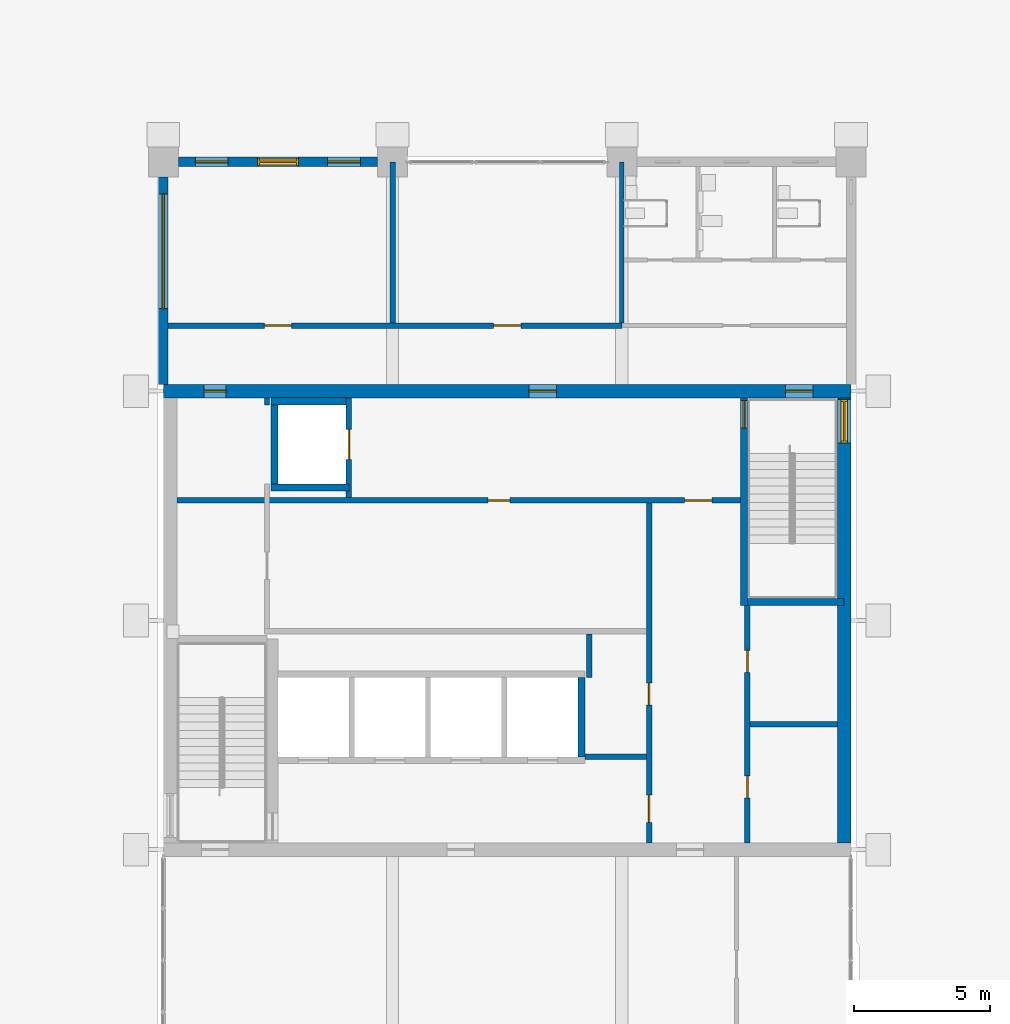
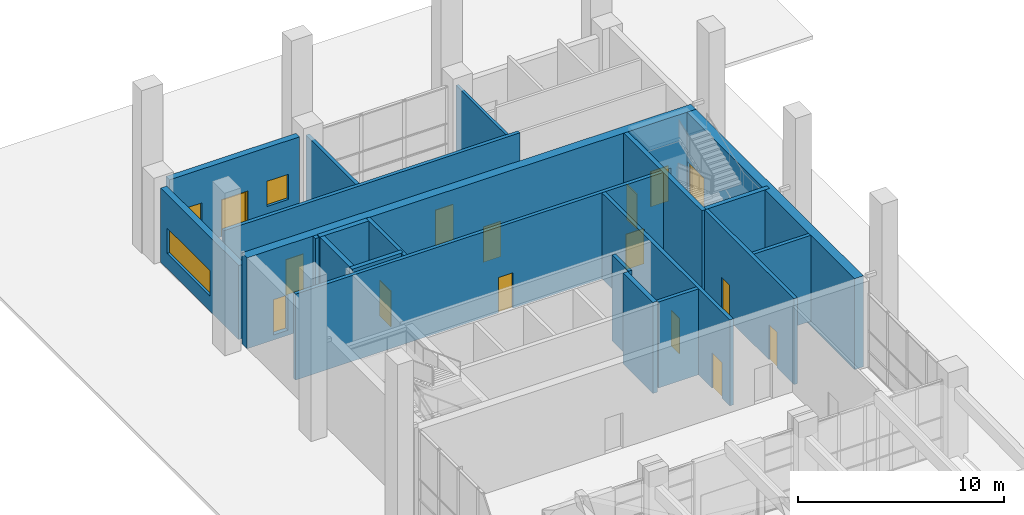
# One storey, part 39 of 74: 21 walls, 15 doors, 3 windows, 18 openings.
"""IFC4 building model written with IfcOpenShell, lengths in metres."""

from ifc_helpers import new_model, si_unit, direction, frame, frame_2d, origin, place, context, subcontext, project, spatial, rectangle, extrude, material, layer, layer_set, type_object, element, fill, save


model = new_model("IFC4")

# Units and contexts
model_context = context("Model", 3, precision=1e-05, world=origin(), true_north=direction((0.0, 1.0)))
body_context = subcontext(model_context, "Body", "Model", "MODEL_VIEW")
ifc_project = project(units=[si_unit("LENGTHUNIT", "METRE"), si_unit("AREAUNIT", "SQUARE_METRE"), si_unit("VOLUMEUNIT", "CUBIC_METRE"), si_unit("PLANEANGLEUNIT", "RADIAN"), si_unit("MASSUNIT", "GRAM", prefix="KILO")], contexts=[model_context])

# Site, building, storey
site_placement = place(None, origin())
site = spatial("IfcSite", under=ifc_project, at=site_placement, CompositionType="ELEMENT")
building_placement = place(site_placement, origin())
building = spatial("IfcBuilding", under=site, at=building_placement, Name="Rulbaag Community and Learning Centre", CompositionType="ELEMENT")
storey_placement = place(building_placement, origin())
storey = spatial("IfcBuildingStorey", under=building, at=storey_placement, Name="L00", CompositionType="ELEMENT", Elevation=0.0)

# Wall, openings, door, windows
ifc_material_1 = material(Name="Concrete M40", Category="concrete")
ifc_layer_1 = layer(ifc_material_1, 0.35009765625)
ifc_layer_set_1 = layer_set([ifc_layer_1], Name="EW-CONC350-120")
wall_type_1 = type_object("IfcWallType", Name="EW-CONC350-120", PredefinedType="STANDARD", material=ifc_layer_set_1)
wall_1_placement = place(storey_placement, frame((143.35009765625, 117.60009765625, 0.0), z_axis=(0.0, 0.0, 1.0), x_axis=(1.0, 0.0, 0.0)))
wall_1 = element("IfcWall", 1, at=wall_1_placement, inside=storey, type_object=wall_type_1, Name="Board-marked concrete cladding wall BN", PredefinedType="STANDARD", context=body_context, shape_type="SweptSolid", body=[
    extrude(rectangle(XDim=7.2998046875, YDim=0.35009765625, at=frame_2d((3.64990234375, 0.0))), origin(), (0.0, 0.0, 1.0), 4.39990234375),
])
opening_1_placement = place(wall_1_placement, frame((2.89990234375, 0.0, 0.0)))
opening_1 = element("IfcOpeningElement", 2, at=opening_1_placement, cuts=wall_1, Name="Opening L00-D137", PredefinedType="OPENING", context=body_context, shape_type="SweptSolid", body=[
    extrude(rectangle(XDim=1.5, YDim=2.199951171875, at=frame_2d((0.75, 1.10009765625))), frame((0.0, 0.18505859375, 0.0), z_axis=(0.0, -1.0, 0.0), x_axis=(1.0, 0.0, 0.0)), (0.0, 0.0, 1.0), 0.3701171875),
])
opening_2_placement = place(wall_1_placement, frame((0.625, 0.0, 0.89990234375)))
opening_2 = element("IfcOpeningElement", 3, at=opening_2_placement, cuts=wall_1, Name="Opening WN1", PredefinedType="OPENING", context=body_context, shape_type="SweptSolid", body=[
    extrude(rectangle(XDim=1.199951171875, YDim=1.5, at=frame_2d((0.60009765625, 0.75))), frame((0.0, 0.18505859375, 0.0), z_axis=(0.0, -1.0, 0.0), x_axis=(1.0, 0.0, 0.0)), (0.0, 0.0, 1.0), 0.3701171875),
])
opening_3_placement = place(wall_1_placement, frame((5.47509765625, 0.0, 0.89990234375)))
opening_3 = element("IfcOpeningElement", 4, at=opening_3_placement, cuts=wall_1, Name="Opening WN1", PredefinedType="OPENING", context=body_context, shape_type="SweptSolid", body=[
    extrude(rectangle(XDim=1.199951171875, YDim=1.5, at=frame_2d((0.60009765625, 0.75))), frame((0.0, 0.18505859375, 0.0), z_axis=(0.0, -1.0, 0.0), x_axis=(1.0, 0.0, 0.0)), (0.0, 0.0, 1.0), 0.3701171875),
])
ifc_material_2 = material(Name="Galvanised steel", Category="steel")
door_type_1 = type_object("IfcDoorType", Name="DS-15", OperationType="DOUBLE_DOOR_SINGLE_SWING", PredefinedType="DOOR", material=ifc_material_2)
door_1_placement = place(opening_1_placement, origin())
door_1 = element("IfcDoor", 5, at=door_1_placement, inside=storey, type_object=door_type_1, Name="Fire command centre entrance", OperationType="SINGLE_SWING_LEFT", OverallHeight=2.199951171875, OverallWidth=1.5, PredefinedType="DOOR", context=body_context, shape_type="SweptSolid", body=[
    extrude(rectangle(XDim=1.5, YDim=0.012939453125, at=frame_2d((0.75, 0.006591796875))), frame((0.0, 0.114990234375, 0.0), z_axis=(0.0, -1.0, 0.0), x_axis=(1.0, 0.0, 0.0)), (0.0, 0.0, 1.0), 0.22998046875),
    extrude(rectangle(XDim=0.074951171875, YDim=2.112060546875, at=frame_2d((0.03759765625, 1.069091796875))), frame((0.0, 0.125, 0.0), z_axis=(0.0, -1.0, 0.0), x_axis=(1.0, 0.0, 0.0)), (0.0, 0.0, 1.0), 0.25),
    extrude(rectangle(XDim=0.074951171875, YDim=2.112060546875, at=frame_2d((1.46240234375, 1.069091796875))), frame((0.0, 0.125, 0.0), z_axis=(0.0, -1.0, 0.0), x_axis=(1.0, 0.0, 0.0)), (0.0, 0.0, 1.0), 0.25),
    extrude(rectangle(XDim=1.5, YDim=0.074951171875, at=frame_2d((0.75, 2.16259765625))), frame((0.0, 0.114990234375, 0.0), z_axis=(0.0, -1.0, 0.0), x_axis=(1.0, 0.0, 0.0)), (0.0, 0.0, 1.0), 0.22998046875),
    extrude(rectangle(XDim=1.35009765625, YDim=2.112060546875, at=frame_2d((0.75, 1.069091796875))), frame((0.0, 0.02490234375, 0.0), z_axis=(0.0, -1.0, 0.0), x_axis=(1.0, 0.0, 0.0)), (0.0, 0.0, 1.0), 0.050048828125),
])
fill(opening_1, door_1)
ifc_material_3 = material(Name="Aluminium", Category="aluminium")
window_type_1 = type_object("IfcWindowType", Name="WN-12", PartitioningType="SINGLE_PANEL", PredefinedType="WINDOW", material=ifc_material_3)
window_1_placement = place(opening_2_placement, origin())
window_1 = element("IfcWindow", 6, at=window_1_placement, inside=storey, type_object=window_type_1, Name="Window WN1", OverallHeight=1.5, OverallWidth=1.199951171875, PartitioningType="SINGLE_PANEL", PredefinedType="WINDOW", context=body_context, shape_type="SweptSolid", body=[
    extrude(rectangle(XDim=1.199951171875, YDim=1.5, at=frame_2d((0.60009765625, 0.75))), frame((0.0, 0.030029296875, 0.0), z_axis=(0.0, -1.0, 0.0), x_axis=(1.0, 0.0, 0.0)), (0.0, 0.0, 1.0), 0.06005859375),
])
fill(opening_2, window_1)
window_2_placement = place(opening_3_placement, origin())
window_2 = element("IfcWindow", 7, at=window_2_placement, inside=storey, type_object=window_type_1, Name="Window WN1", OverallHeight=1.5, OverallWidth=1.199951171875, PartitioningType="SINGLE_PANEL", PredefinedType="WINDOW", context=body_context, shape_type="SweptSolid", body=[
    extrude(rectangle(XDim=1.199951171875, YDim=1.5, at=frame_2d((0.60009765625, 0.75))), frame((0.0, 0.030029296875, 0.0), z_axis=(0.0, -1.0, 0.0), x_axis=(1.0, 0.0, 0.0)), (0.0, 0.0, 1.0), 0.06005859375),
])
fill(opening_3, window_2)

# Wall, opening, window
wall_2_placement = place(storey_placement, frame((142.800048828125, 109.449951171875, 0.0), z_axis=(0.0, 0.0, 1.0), x_axis=(0.0, 1.0, 0.0)))
wall_2 = element("IfcWall", 8, at=wall_2_placement, inside=storey, type_object=wall_type_1, Name="Board-marked concrete cladding wall BW", PredefinedType="STANDARD", context=body_context, shape_type="SweptSolid", body=[
    extrude(rectangle(XDim=7.60009765625, YDim=0.35009765625, at=frame_2d((3.800048828125, 0.0))), origin(), (0.0, 0.0, 1.0), 4.39990234375),
])
opening_4_placement = place(wall_2_placement, frame((2.77490234375, 0.0, 0.89990234375)))
opening_4 = element("IfcOpeningElement", 9, at=opening_4_placement, cuts=wall_2, Name="Opening WN4", PredefinedType="OPENING", context=body_context, shape_type="SweptSolid", body=[
    extrude(rectangle(XDim=4.199951171875, YDim=1.5, at=frame_2d((2.10009765625, 0.75))), frame((0.0, 0.18505859375, 0.0), z_axis=(0.0, -1.0, 0.0), x_axis=(1.0, 0.0, 0.0)), (0.0, 0.0, 1.0), 0.3701171875),
])
window_type_2 = type_object("IfcWindowType", Name="WN-42", PartitioningType="TRIPLE_PANEL_VERTICAL", PredefinedType="WINDOW", material=ifc_material_3)
window_3_placement = place(opening_4_placement, origin())
window_3 = element("IfcWindow", 10, at=window_3_placement, inside=storey, type_object=window_type_2, Name="Window WN4", OverallHeight=1.5, OverallWidth=4.199951171875, PartitioningType="SINGLE_PANEL", PredefinedType="WINDOW", context=body_context, shape_type="SweptSolid", body=[
    extrude(rectangle(XDim=4.199951171875, YDim=1.5, at=frame_2d((2.10009765625, 0.75))), frame((0.0, 0.030029296875, 0.0), z_axis=(0.0, -1.0, 0.0), x_axis=(1.0, 0.0, 0.0)), (0.0, 0.0, 1.0), 0.06005859375),
])
fill(opening_4, window_3)

# Walls
ifc_material_4 = material(Name="Concrete blockwork", Category="masonry")
ifc_layer_2 = layer(ifc_material_4, 0.199951171875)
ifc_layer_set_2 = layer_set([ifc_layer_2], Name="FW-200 FIRE WALL 200")
wall_type_2 = type_object("IfcWallType", Name="FW-200 FIRE WALL 200", PredefinedType="SOLIDWALL", material=ifc_layer_set_2)
wall_3_placement = place(storey_placement, frame((158.25, 95.800048828125, 0.0), z_axis=(0.0, 0.0, 1.0), x_axis=(1.0, 0.0, 0.0)))
element("IfcWall", 11, at=wall_3_placement, inside=storey, type_object=wall_type_2, Name="Fire wall L00 48", PredefinedType="SOLIDWALL", context=body_context, shape_type="SweptSolid", body=[
    extrude(rectangle(XDim=2.25, YDim=0.199951171875, at=frame_2d((1.125, 0.0))), origin(), (0.0, 0.0, 1.0), 5.10009765625),
])
wall_4_placement = place(storey_placement, frame((164.300048828125, 97.0, 0.0), z_axis=(0.0, 0.0, 1.0), x_axis=(1.0, 0.0, 0.0)))
element("IfcWall", 12, at=wall_4_placement, inside=storey, type_object=wall_type_2, Name="Fire wall L00 49", PredefinedType="SOLIDWALL", context=body_context, shape_type="SweptSolid", body=[
    extrude(rectangle(XDim=3.199951171875, YDim=0.199951171875, at=frame_2d((1.60009765625, 0.0))), origin(), (0.0, 0.0, 1.0), 5.10009765625),
])

# Wall, openings, doors
wall_5_placement = place(storey_placement, frame((143.300048828125, 105.199951171875, 0.0), z_axis=(0.0, 0.0, 1.0), x_axis=(1.0, 0.0, 0.0)))
wall_5 = element("IfcWall", 13, at=wall_5_placement, inside=storey, type_object=wall_type_2, Name="Fire wall L00 52", PredefinedType="SOLIDWALL", context=body_context, shape_type="SweptSolid", body=[
    extrude(rectangle(XDim=20.64990234375, YDim=0.199951171875, at=frame_2d((10.324951171875, 0.0))), origin(), (0.0, 0.0, 1.0), 5.10009765625),
])
opening_5_placement = place(wall_5_placement, frame((11.39990234375, 0.0, 0.0)))
opening_5 = element("IfcOpeningElement", 14, at=opening_5_placement, cuts=wall_5, Name="Opening L00-D154", PredefinedType="OPENING", context=body_context, shape_type="SweptSolid", body=[
    extrude(rectangle(XDim=0.800048828125, YDim=2.10009765625, at=frame_2d((0.39990234375, 1.050048828125))), frame((0.0, 0.10986328125, 0.0), z_axis=(0.0, -1.0, 0.0), x_axis=(1.0, 0.0, 0.0)), (0.0, 0.0, 1.0), 0.219970703125),
])
opening_6_placement = place(wall_5_placement, frame((18.60009765625, 0.0, 0.0)))
opening_6 = element("IfcOpeningElement", 15, at=opening_6_placement, cuts=wall_5, Name="Opening L00-D187", PredefinedType="OPENING", context=body_context, shape_type="SweptSolid", body=[
    extrude(rectangle(XDim=1.0, YDim=2.10009765625, at=frame_2d((0.5, 1.050048828125))), frame((0.0, 0.10986328125, 0.0), z_axis=(0.0, -1.0, 0.0), x_axis=(1.0, 0.0, 0.0)), (0.0, 0.0, 1.0), 0.219970703125),
])
door_type_2 = type_object("IfcDoorType", Name="FD-1000 FIRE DOOR 1000 x 2100", OperationType="SINGLE_SWING_LEFT", PredefinedType="DOOR", material=ifc_material_2)
door_2_placement = place(opening_6_placement, origin())
door_2 = element("IfcDoor", 16, at=door_2_placement, inside=storey, type_object=door_type_2, Name="Door L00-D187", OperationType="SINGLE_SWING_LEFT", OverallHeight=2.10009765625, OverallWidth=1.0, PredefinedType="DOOR", context=body_context, shape_type="SweptSolid", body=[
    extrude(rectangle(XDim=1.0, YDim=2.10009765625, at=frame_2d((0.5, 1.050048828125))), frame((0.0, 0.02490234375, 0.0), z_axis=(0.0, -1.0, 0.0), x_axis=(1.0, 0.0, 0.0)), (0.0, 0.0, 1.0), 0.050048828125),
])
fill(opening_6, door_2)
door_type_3 = type_object("IfcDoorType", Name="FDR-800 RISER FIRE DOOR 800 x 2100", OperationType="SINGLE_SWING_LEFT", PredefinedType="DOOR", material=ifc_material_2)
door_3_placement = place(opening_5_placement, origin())
door_3 = element("IfcDoor", 17, at=door_3_placement, inside=storey, type_object=door_type_3, Name="Riser door L00-D081", OperationType="SINGLE_SWING_RIGHT", OverallHeight=2.10009765625, OverallWidth=0.800048828125, PredefinedType="DOOR", context=body_context, shape_type="SweptSolid", body=[
    extrude(rectangle(XDim=0.800048828125, YDim=2.10009765625, at=frame_2d((0.39990234375, 1.050048828125))), frame((0.0, 0.02490234375, 0.0), z_axis=(0.0, -1.0, 0.0), x_axis=(1.0, 0.0, 0.0)), (0.0, 0.0, 1.0), 0.050048828125),
])
fill(opening_5, door_3)

wall_6_placement = place(storey_placement, frame((142.97509765625, 111.60009765625, 0.0), z_axis=(0.0, 0.0, 1.0), x_axis=(1.0, 0.0, 0.0)))
wall_6 = element("IfcWall", 18, at=wall_6_placement, inside=storey, type_object=wall_type_2, Name="Fire wall L00 53", PredefinedType="SOLIDWALL", context=body_context, shape_type="SweptSolid", body=[
    extrude(rectangle(XDim=16.625, YDim=0.199951171875, at=frame_2d((8.3125, 0.0))), origin(), (0.0, 0.0, 1.0), 5.10009765625),
])
opening_7_placement = place(wall_6_placement, frame((3.52490234375, 0.0, 0.0)))
opening_7 = element("IfcOpeningElement", 19, at=opening_7_placement, cuts=wall_6, Name="Opening L00-D136", PredefinedType="OPENING", context=body_context, shape_type="SweptSolid", body=[
    extrude(rectangle(XDim=1.0, YDim=2.10009765625, at=frame_2d((0.5, 1.050048828125))), frame((0.0, 0.10986328125, 0.0), z_axis=(0.0, -1.0, 0.0), x_axis=(1.0, 0.0, 0.0)), (0.0, 0.0, 1.0), 0.219970703125),
])
opening_8_placement = place(wall_6_placement, frame((11.925048828125, 0.0, 0.0)))
opening_8 = element("IfcOpeningElement", 20, at=opening_8_placement, cuts=wall_6, Name="Opening L00-D159", PredefinedType="OPENING", context=body_context, shape_type="SweptSolid", body=[
    extrude(rectangle(XDim=1.0, YDim=2.10009765625, at=frame_2d((0.5, 1.050048828125))), frame((0.0, 0.10986328125, 0.0), z_axis=(0.0, -1.0, 0.0), x_axis=(1.0, 0.0, 0.0)), (0.0, 0.0, 1.0), 0.219970703125),
])
door_4_placement = place(opening_7_placement, origin())
door_4 = element("IfcDoor", 21, at=door_4_placement, inside=storey, type_object=door_type_2, Name="Door L00-D136", OperationType="SINGLE_SWING_RIGHT", OverallHeight=2.10009765625, OverallWidth=1.0, PredefinedType="DOOR", context=body_context, shape_type="SweptSolid", body=[
    extrude(rectangle(XDim=1.0, YDim=2.10009765625, at=frame_2d((0.5, 1.050048828125))), frame((0.0, 0.02490234375, 0.0), z_axis=(0.0, -1.0, 0.0), x_axis=(1.0, 0.0, 0.0)), (0.0, 0.0, 1.0), 0.050048828125),
])
fill(opening_7, door_4)
door_5_placement = place(opening_8_placement, origin())
door_5 = element("IfcDoor", 22, at=door_5_placement, inside=storey, type_object=door_type_2, Name="Door L00-D159", OperationType="SINGLE_SWING_LEFT", OverallHeight=2.10009765625, OverallWidth=1.0, PredefinedType="DOOR", context=body_context, shape_type="SweptSolid", body=[
    extrude(rectangle(XDim=1.0, YDim=2.10009765625, at=frame_2d((0.5, 1.050048828125))), frame((0.0, 0.02490234375, 0.0), z_axis=(0.0, -1.0, 0.0), x_axis=(1.0, 0.0, 0.0)), (0.0, 0.0, 1.0), 0.050048828125),
])
fill(opening_8, door_5)

# Wall
wall_7_placement = place(storey_placement, frame((146.60009765625, 108.699951171875, 0.0), z_axis=(0.0, 0.0, 1.0), x_axis=(0.0, 1.0, 0.0)))
element("IfcWall", 23, at=wall_7_placement, inside=storey, type_object=wall_type_2, Name="Fire wall L00 100", PredefinedType="SOLIDWALL", context=body_context, shape_type="SweptSolid", body=[
    extrude(rectangle(XDim=0.25, YDim=0.199951171875, at=frame_2d((0.125, 0.0))), origin(), (0.0, 0.0, 1.0), 5.10009765625),
])

# Wall, opening, door
wall_8_placement = place(storey_placement, frame((149.60009765625, 105.300048828125, 0.0), z_axis=(0.0, 0.0, 1.0), x_axis=(0.0, 1.0, 0.0)))
wall_8 = element("IfcWall", 24, at=wall_8_placement, inside=storey, type_object=wall_type_2, Name="Fire wall L00 101", PredefinedType="SOLIDWALL", context=body_context, shape_type="SweptSolid", body=[
    extrude(rectangle(XDim=3.64990234375, YDim=0.199951171875, at=frame_2d((1.824951171875, 0.0))), origin(), (0.0, 0.0, 1.0), 5.10009765625),
])
opening_9_placement = place(wall_8_placement, frame((1.39990234375, 0.0, 0.0)))
opening_9 = element("IfcOpeningElement", 25, at=opening_9_placement, cuts=wall_8, Name="Opening L00-D139", PredefinedType="OPENING", context=body_context, shape_type="SweptSolid", body=[
    extrude(rectangle(XDim=1.10009765625, YDim=2.10009765625, at=frame_2d((0.550048828125, 1.050048828125))), frame((0.0, 0.10986328125, 0.0), z_axis=(0.0, -1.0, 0.0), x_axis=(1.0, 0.0, 0.0)), (0.0, 0.0, 1.0), 0.219970703125),
])
ifc_material_5 = material(Name="Stainless steel grade 304", Category="steel")
door_type_4 = type_object("IfcDoorType", Name="LD-1100 LIFT LANDING DOOR 1100 x 2100", OperationType="SLIDING_TO_LEFT", PredefinedType="DOOR", material=ifc_material_5)
door_6_placement = place(opening_9_placement, origin())
door_6 = element("IfcDoor", 26, at=door_6_placement, inside=storey, type_object=door_type_4, Name="Lift landing door LF1 L00", OperationType="SLIDING_TO_LEFT", OverallHeight=2.10009765625, OverallWidth=1.10009765625, PredefinedType="DOOR", context=body_context, shape_type="SweptSolid", body=[
    extrude(rectangle(XDim=1.10009765625, YDim=2.10009765625, at=frame_2d((0.550048828125, 1.050048828125))), frame((0.0, 0.02490234375, 0.0), z_axis=(0.0, -1.0, 0.0), x_axis=(1.0, 0.0, 0.0)), (0.0, 0.0, 1.0), 0.050048828125),
])
fill(opening_9, door_6)

# Walls
wall_9_placement = place(storey_placement, frame((151.199951171875, 111.699951171875, 0.0), z_axis=(0.0, 0.0, 1.0), x_axis=(0.0, 1.0, 0.0)))
element("IfcWall", 27, at=wall_9_placement, inside=storey, type_object=wall_type_2, Name="Fire wall L00 105", PredefinedType="SOLIDWALL", context=body_context, shape_type="SweptSolid", body=[
    extrude(rectangle(XDim=5.900146484375, YDim=0.199951171875, at=frame_2d((2.9501953125, 0.0))), origin(), (0.0, 0.0, 1.0), 4.25),
])
wall_10_placement = place(storey_placement, frame((158.39990234375, 98.699951171875, 0.0), z_axis=(0.0, 0.0, 1.0), x_axis=(0.0, 1.0, 0.0)))
element("IfcWall", 28, at=wall_10_placement, inside=storey, type_object=wall_type_2, Name="Fire wall L00 107", PredefinedType="SOLIDWALL", context=body_context, shape_type="SweptSolid", body=[
    extrude(rectangle(XDim=1.60009765625, YDim=0.199951171875, at=frame_2d((0.800048828125, 0.0))), origin(), (0.0, 0.0, 1.0), 5.10009765625),
])

# Wall, openings, doors
wall_11_placement = place(storey_placement, frame((160.60009765625, 92.64990234375, 0.0), z_axis=(0.0, 0.0, 1.0), x_axis=(0.0, 1.0, 0.0)))
wall_11 = element("IfcWall", 29, at=wall_11_placement, inside=storey, type_object=wall_type_2, Name="Fire wall L00 110", PredefinedType="SOLIDWALL", context=body_context, shape_type="SweptSolid", body=[
    extrude(rectangle(XDim=12.4501953125, YDim=0.199951171875, at=frame_2d((6.22509765625, 0.0))), origin(), (0.0, 0.0, 1.0), 5.10009765625),
])
opening_10_placement = place(wall_11_placement, frame((5.050048828125, 0.0, 0.0)))
opening_10 = element("IfcOpeningElement", 30, at=opening_10_placement, cuts=wall_11, Name="Opening L00-D175", PredefinedType="OPENING", context=body_context, shape_type="SweptSolid", body=[
    extrude(rectangle(XDim=0.800048828125, YDim=2.10009765625, at=frame_2d((0.39990234375, 1.050048828125))), frame((0.0, 0.10986328125, 0.0), z_axis=(0.0, -1.0, 0.0), x_axis=(1.0, 0.0, 0.0)), (0.0, 0.0, 1.0), 0.219970703125),
])
opening_11_placement = place(wall_11_placement, frame((0.75, 0.0, 0.0)))
opening_11 = element("IfcOpeningElement", 31, at=opening_11_placement, cuts=wall_11, Name="Opening L00-D174", PredefinedType="OPENING", context=body_context, shape_type="SweptSolid", body=[
    extrude(rectangle(XDim=1.0, YDim=2.10009765625, at=frame_2d((0.5, 1.050048828125))), frame((0.0, 0.10986328125, 0.0), z_axis=(0.0, -1.0, 0.0), x_axis=(1.0, 0.0, 0.0)), (0.0, 0.0, 1.0), 0.219970703125),
])
door_7_placement = place(opening_11_placement, origin())
door_7 = element("IfcDoor", 32, at=door_7_placement, inside=storey, type_object=door_type_2, Name="Door L00-D174", OperationType="SINGLE_SWING_LEFT", OverallHeight=2.10009765625, OverallWidth=1.0, PredefinedType="DOOR", context=body_context, shape_type="SweptSolid", body=[
    extrude(rectangle(XDim=1.0, YDim=2.10009765625, at=frame_2d((0.5, 1.050048828125))), frame((0.0, 0.02490234375, 0.0), z_axis=(0.0, -1.0, 0.0), x_axis=(1.0, 0.0, 0.0)), (0.0, 0.0, 1.0), 0.050048828125),
])
fill(opening_11, door_7)
door_8_placement = place(opening_10_placement, origin())
door_8 = element("IfcDoor", 33, at=door_8_placement, inside=storey, type_object=door_type_3, Name="Riser door L00-D080", OperationType="SINGLE_SWING_RIGHT", OverallHeight=2.10009765625, OverallWidth=0.800048828125, PredefinedType="DOOR", context=body_context, shape_type="SweptSolid", body=[
    extrude(rectangle(XDim=0.800048828125, YDim=2.10009765625, at=frame_2d((0.39990234375, 1.050048828125))), frame((0.0, 0.02490234375, 0.0), z_axis=(0.0, -1.0, 0.0), x_axis=(1.0, 0.0, 0.0)), (0.0, 0.0, 1.0), 0.050048828125),
])
fill(opening_10, door_8)

wall_12_placement = place(storey_placement, frame((164.199951171875, 92.64990234375, 0.0), z_axis=(0.0, 0.0, 1.0), x_axis=(0.0, 1.0, 0.0)))
wall_12 = element("IfcWall", 34, at=wall_12_placement, inside=storey, type_object=wall_type_2, Name="Fire wall L00 115", PredefinedType="SOLIDWALL", context=body_context, shape_type="SweptSolid", body=[
    extrude(rectangle(XDim=8.7001953125, YDim=0.199951171875, at=frame_2d((4.35009765625, 0.0))), origin(), (0.0, 0.0, 1.0), 5.10009765625),
])
opening_12_placement = place(wall_12_placement, frame((1.64990234375, 0.0, 0.0)))
opening_12 = element("IfcOpeningElement", 35, at=opening_12_placement, cuts=wall_12, Name="Opening L00-D193", PredefinedType="OPENING", context=body_context, shape_type="SweptSolid", body=[
    extrude(rectangle(XDim=0.800048828125, YDim=2.10009765625, at=frame_2d((0.39990234375, 1.050048828125))), frame((0.0, 0.10986328125, 0.0), z_axis=(0.0, -1.0, 0.0), x_axis=(1.0, 0.0, 0.0)), (0.0, 0.0, 1.0), 0.219970703125),
])
opening_13_placement = place(wall_12_placement, frame((6.25, 0.0, 0.0)))
opening_13 = element("IfcOpeningElement", 36, at=opening_13_placement, cuts=wall_12, Name="Opening L00-D194", PredefinedType="OPENING", context=body_context, shape_type="SweptSolid", body=[
    extrude(rectangle(XDim=0.800048828125, YDim=2.10009765625, at=frame_2d((0.39990234375, 1.050048828125))), frame((0.0, 0.10986328125, 0.0), z_axis=(0.0, -1.0, 0.0), x_axis=(1.0, 0.0, 0.0)), (0.0, 0.0, 1.0), 0.219970703125),
])
door_9_placement = place(opening_12_placement, origin())
door_9 = element("IfcDoor", 37, at=door_9_placement, inside=storey, type_object=door_type_3, Name="Riser door L00-D078", OperationType="SINGLE_SWING_LEFT", OverallHeight=2.10009765625, OverallWidth=0.800048828125, PredefinedType="DOOR", context=body_context, shape_type="SweptSolid", body=[
    extrude(rectangle(XDim=0.800048828125, YDim=2.10009765625, at=frame_2d((0.39990234375, 1.050048828125))), frame((0.0, 0.02490234375, 0.0), z_axis=(0.0, -1.0, 0.0), x_axis=(1.0, 0.0, 0.0)), (0.0, 0.0, 1.0), 0.050048828125),
])
fill(opening_12, door_9)
door_10_placement = place(opening_13_placement, origin())
door_10 = element("IfcDoor", 38, at=door_10_placement, inside=storey, type_object=door_type_3, Name="Riser door L00-D079", OperationType="SINGLE_SWING_RIGHT", OverallHeight=2.10009765625, OverallWidth=0.800048828125, PredefinedType="DOOR", context=body_context, shape_type="SweptSolid", body=[
    extrude(rectangle(XDim=0.800048828125, YDim=2.10009765625, at=frame_2d((0.39990234375, 1.050048828125))), frame((0.0, 0.02490234375, 0.0), z_axis=(0.0, -1.0, 0.0), x_axis=(1.0, 0.0, 0.0)), (0.0, 0.0, 1.0), 0.050048828125),
])
fill(opening_13, door_10)

# Walls
ifc_layer_3 = layer(ifc_material_4, 0.14990234375)
ifc_layer_set_3 = layer_set([ifc_layer_3], Name="IP-150 PARTITION 150")
wall_type_3 = type_object("IfcWallType", Name="IP-150 PARTITION 150", PredefinedType="PARTITIONING", material=ifc_layer_set_3)
wall_13_placement = place(storey_placement, frame((159.60009765625, 111.699951171875, 0.0), z_axis=(0.0, 0.0, 1.0), x_axis=(0.0, 1.0, 0.0)))
element("IfcWall", 39, at=wall_13_placement, inside=storey, type_object=wall_type_3, Name="Partition L00 109", PredefinedType="PARTITIONING", context=body_context, shape_type="SweptSolid", body=[
    extrude(rectangle(XDim=5.900146484375, YDim=0.14990234375, at=frame_2d((2.9501953125, 0.0))), origin(), (0.0, 0.0, 1.0), 4.25),
])
ifc_layer_4 = layer(ifc_material_1, 0.27490234375)
ifc_layer_set_4 = layer_set([ifc_layer_4], Name="W16 Shaft wall 275 Concrete M40")
wall_type_4 = type_object("IfcWallType", Name="W16 Shaft wall 275 Concrete M40", PredefinedType="SHEAR", material=ifc_layer_set_4)
wall_14_placement = place(storey_placement, frame((146.75, 108.83740234375, -0.300048828125), z_axis=(0.0, 0.0, 1.0), x_axis=(1.0, 0.0, 0.0)))
element("IfcWall", 40, at=wall_14_placement, inside=storey, type_object=wall_type_4, Name="WL-LF-N-L00", PredefinedType="SHEAR", context=body_context, shape_type="SweptSolid", body=[
    extrude(rectangle(XDim=2.85009765625, YDim=0.27490234375, at=frame_2d((1.425048828125, 0.0))), origin(), (0.0, 0.0, 1.0), 5.400146484375),
])

# Wall, openings, doors
ifc_material_6 = material(Name="Concrete M60", Category="concrete")
ifc_layer_5 = layer(ifc_material_6, 0.5)
ifc_layer_set_5 = layer_set([ifc_layer_5], Name="W4 Core wall 500 Concrete M60")
wall_type_5 = type_object("IfcWallType", Name="W4 Core wall 500 Concrete M60", PredefinedType="SHEAR", material=ifc_layer_set_5)
wall_15_placement = place(storey_placement, frame((142.800048828125, 109.199951171875, -0.300048828125), z_axis=(0.0, 0.0, 1.0), x_axis=(1.0, 0.0, 0.0)))
wall_15 = element("IfcWall", 41, at=wall_15_placement, inside=storey, type_object=wall_type_5, Name="WL-CORE-N-L00", PredefinedType="SHEAR", context=body_context, shape_type="SweptSolid", body=[
    extrude(rectangle(XDim=25.199951171875, YDim=0.5, at=frame_2d((12.60009765625, 0.0))), origin(), (0.0, 0.0, 1.0), 5.400146484375),
])
opening_14_placement = place(wall_15_placement, frame((22.800048828125, 0.0, 0.300048828125)))
opening_14 = element("IfcOpeningElement", 42, at=opening_14_placement, cuts=wall_15, Name="Opening L00-D198", PredefinedType="OPENING", context=body_context, shape_type="SweptSolid", body=[
    extrude(rectangle(XDim=1.0, YDim=2.10009765625, at=frame_2d((0.5, 1.050048828125))), frame((0.0, 0.260009765625, 0.0), z_axis=(0.0, -1.0, 0.0), x_axis=(1.0, 0.0, 0.0)), (0.0, 0.0, 1.0), 0.52001953125),
])
opening_15_placement = place(wall_15_placement, frame((1.5, 0.0, 0.300048828125)))
opening_15 = element("IfcOpeningElement", 43, at=opening_15_placement, cuts=wall_15, Name="Opening L00-D129", PredefinedType="OPENING", context=body_context, shape_type="SweptSolid", body=[
    extrude(rectangle(XDim=0.800048828125, YDim=2.10009765625, at=frame_2d((0.39990234375, 1.050048828125))), frame((0.0, 0.260009765625, 0.0), z_axis=(0.0, -1.0, 0.0), x_axis=(1.0, 0.0, 0.0)), (0.0, 0.0, 1.0), 0.52001953125),
])
opening_16_placement = place(wall_15_placement, frame((13.39990234375, 0.0, 0.300048828125)))
opening_16 = element("IfcOpeningElement", 44, at=opening_16_placement, cuts=wall_15, Name="Opening L00-D161", PredefinedType="OPENING", context=body_context, shape_type="SweptSolid", body=[
    extrude(rectangle(XDim=1.0, YDim=2.10009765625, at=frame_2d((0.5, 1.050048828125))), frame((0.0, 0.260009765625, 0.0), z_axis=(0.0, -1.0, 0.0), x_axis=(1.0, 0.0, 0.0)), (0.0, 0.0, 1.0), 0.52001953125),
])
door_11_placement = place(opening_14_placement, origin())
door_11 = element("IfcDoor", 45, at=door_11_placement, inside=storey, type_object=door_type_2, Name="Door L00-D198", OperationType="SINGLE_SWING_LEFT", OverallHeight=2.10009765625, OverallWidth=1.0, PredefinedType="DOOR", context=body_context, shape_type="SweptSolid", body=[
    extrude(rectangle(XDim=1.0, YDim=2.10009765625, at=frame_2d((0.5, 1.050048828125))), frame((0.0, 0.02490234375, 0.0), z_axis=(0.0, -1.0, 0.0), x_axis=(1.0, 0.0, 0.0)), (0.0, 0.0, 1.0), 0.050048828125),
])
fill(opening_14, door_11)
door_12_placement = place(opening_16_placement, origin())
door_12 = element("IfcDoor", 46, at=door_12_placement, inside=storey, type_object=door_type_2, Name="Door L00-D161", OperationType="SINGLE_SWING_LEFT", OverallHeight=2.10009765625, OverallWidth=1.0, PredefinedType="DOOR", context=body_context, shape_type="SweptSolid", body=[
    extrude(rectangle(XDim=1.0, YDim=2.10009765625, at=frame_2d((0.5, 1.050048828125))), frame((0.0, 0.02490234375, 0.0), z_axis=(0.0, -1.0, 0.0), x_axis=(1.0, 0.0, 0.0)), (0.0, 0.0, 1.0), 0.050048828125),
])
fill(opening_16, door_12)
door_13_placement = place(opening_15_placement, origin())
door_13 = element("IfcDoor", 47, at=door_13_placement, inside=storey, type_object=door_type_3, Name="Riser door L00-D083", OperationType="SINGLE_SWING_LEFT", OverallHeight=2.10009765625, OverallWidth=0.800048828125, PredefinedType="DOOR", context=body_context, shape_type="SweptSolid", body=[
    extrude(rectangle(XDim=0.800048828125, YDim=2.10009765625, at=frame_2d((0.39990234375, 1.050048828125))), frame((0.0, 0.02490234375, 0.0), z_axis=(0.0, -1.0, 0.0), x_axis=(1.0, 0.0, 0.0)), (0.0, 0.0, 1.0), 0.050048828125),
])
fill(opening_15, door_13)

# Wall, opening, door
wall_16_placement = place(storey_placement, frame((167.75, 92.64990234375, -0.300048828125), z_axis=(0.0, 0.0, 1.0), x_axis=(0.0, 1.0, 0.0)))
wall_16 = element("IfcWall", 48, at=wall_16_placement, inside=storey, type_object=wall_type_5, Name="WL-CORE-E-L00", PredefinedType="SHEAR", context=body_context, shape_type="SweptSolid", body=[
    extrude(rectangle(XDim=16.300048828125, YDim=0.5, at=frame_2d((8.14990234375, 0.0))), origin(), (0.0, 0.0, 1.0), 5.400146484375),
])
opening_17_placement = place(wall_16_placement, frame((16.25, 0.0, 0.300048828125), z_axis=(0.0, 0.0, 1.0), x_axis=(-1.0, 0.0, 0.0)))
opening_17 = element("IfcOpeningElement", 49, at=opening_17_placement, cuts=wall_16, Name="Opening L00-D201", PredefinedType="OPENING", context=body_context, shape_type="SweptSolid", body=[
    extrude(rectangle(XDim=1.60009765625, YDim=2.199951171875, at=frame_2d((0.800048828125, 1.10009765625))), frame((0.0, 0.260009765625, 0.0), z_axis=(0.0, -1.0, 0.0), x_axis=(1.0, 0.0, 0.0)), (0.0, 0.0, 1.0), 0.52001953125),
])
door_type_5 = type_object("IfcDoorType", Name="DX-16", OperationType="DOUBLE_DOOR_SINGLE_SWING", PredefinedType="DOOR", material=ifc_material_2)
door_14_placement = place(opening_17_placement, origin())
door_14 = element("IfcDoor", 50, at=door_14_placement, inside=storey, type_object=door_type_5, Name="Final exit G30", OperationType="SINGLE_SWING_LEFT", OverallHeight=2.199951171875, OverallWidth=1.60009765625, PredefinedType="DOOR", context=body_context, shape_type="SweptSolid", body=[
    extrude(rectangle(XDim=1.60009765625, YDim=0.012939453125, at=frame_2d((0.800048828125, 0.006591796875))), frame((0.0, 0.114990234375, 0.0), z_axis=(0.0, -1.0, 0.0), x_axis=(1.0, 0.0, 0.0)), (0.0, 0.0, 1.0), 0.22998046875),
    extrude(rectangle(XDim=0.074951171875, YDim=2.112060546875, at=frame_2d((0.03759765625, 1.069091796875))), frame((0.0, 0.125, 0.0), z_axis=(0.0, -1.0, 0.0), x_axis=(1.0, 0.0, 0.0)), (0.0, 0.0, 1.0), 0.25),
    extrude(rectangle(XDim=0.074951171875, YDim=2.112060546875, at=frame_2d((1.5625, 1.069091796875))), frame((0.0, 0.125, 0.0), z_axis=(0.0, -1.0, 0.0), x_axis=(1.0, 0.0, 0.0)), (0.0, 0.0, 1.0), 0.25),
    extrude(rectangle(XDim=1.60009765625, YDim=0.074951171875, at=frame_2d((0.800048828125, 2.16259765625))), frame((0.0, 0.114990234375, 0.0), z_axis=(0.0, -1.0, 0.0), x_axis=(1.0, 0.0, 0.0)), (0.0, 0.0, 1.0), 0.22998046875),
    extrude(rectangle(XDim=1.4501953125, YDim=2.112060546875, at=frame_2d((0.800048828125, 1.069091796875))), frame((0.0, 0.02490234375, 0.0), z_axis=(0.0, -1.0, 0.0), x_axis=(1.0, 0.0, 0.0)), (0.0, 0.0, 1.0), 0.050048828125),
])
fill(opening_17, door_14)

ifc_layer_6 = layer(ifc_material_1, 0.25)
ifc_layer_set_6 = layer_set([ifc_layer_6], Name="W5 Shaft wall 250 Concrete M40")
wall_type_6 = type_object("IfcWallType", Name="W5 Shaft wall 250 Concrete M40", PredefinedType="SHEAR", material=ifc_layer_set_6)
wall_17_placement = place(storey_placement, frame((164.074951171875, 101.35009765625, -0.300048828125), z_axis=(0.0, 0.0, 1.0), x_axis=(0.0, 1.0, 0.0)))
wall_17 = element("IfcWall", 51, at=wall_17_placement, inside=storey, type_object=wall_type_6, Name="WL-ST2-W-L00", PredefinedType="SHEAR", context=body_context, shape_type="SweptSolid", body=[
    extrude(rectangle(XDim=7.599853515625, YDim=0.25, at=frame_2d((3.7998046875, 0.0))), origin(), (0.0, 0.0, 1.0), 5.400146484375),
])
opening_18_placement = place(wall_17_placement, frame((6.5, 0.0, 0.300048828125)))
opening_18 = element("IfcOpeningElement", 52, at=opening_18_placement, cuts=wall_17, Name="Opening L00-D192", PredefinedType="OPENING", context=body_context, shape_type="SweptSolid", body=[
    extrude(rectangle(XDim=1.0, YDim=2.10009765625, at=frame_2d((0.5, 1.050048828125))), frame((0.0, 0.135009765625, 0.0), z_axis=(0.0, -1.0, 0.0), x_axis=(1.0, 0.0, 0.0)), (0.0, 0.0, 1.0), 0.27001953125),
])
door_15_placement = place(opening_18_placement, origin())
door_15 = element("IfcDoor", 53, at=door_15_placement, inside=storey, type_object=door_type_2, Name="Door L00-D192", OperationType="SINGLE_SWING_LEFT", OverallHeight=2.10009765625, OverallWidth=1.0, PredefinedType="DOOR", context=body_context, shape_type="SweptSolid", body=[
    extrude(rectangle(XDim=1.0, YDim=2.10009765625, at=frame_2d((0.5, 1.050048828125))), frame((0.0, 0.02490234375, 0.0), z_axis=(0.0, -1.0, 0.0), x_axis=(1.0, 0.0, 0.0)), (0.0, 0.0, 1.0), 0.050048828125),
])
fill(opening_18, door_15)

# Walls
wall_18_placement = place(storey_placement, frame((164.199951171875, 101.47509765625, -0.300048828125), z_axis=(0.0, 0.0, 1.0), x_axis=(1.0, 0.0, 0.0)))
element("IfcWall", 54, at=wall_18_placement, inside=storey, type_object=wall_type_6, Name="WL-ST2-S-L00", PredefinedType="SHEAR", context=body_context, shape_type="SweptSolid", body=[
    extrude(rectangle(XDim=3.550048828125, YDim=0.25, at=frame_2d((1.77490234375, 0.0))), origin(), (0.0, 0.0, 1.0), 5.400146484375),
])
wall_19_placement = place(storey_placement, frame((158.125, 95.800048828125, -0.300048828125), z_axis=(0.0, 0.0, 1.0), x_axis=(0.0, 1.0, 0.0)))
element("IfcWall", 55, at=wall_19_placement, inside=storey, type_object=wall_type_6, Name="WL-LP-E-L00", PredefinedType="SHEAR", context=body_context, shape_type="SweptSolid", body=[
    extrude(rectangle(XDim=2.89990234375, YDim=0.25, at=frame_2d((1.449951171875, 0.0))), origin(), (0.0, 0.0, 1.0), 5.400146484375),
])
wall_20_placement = place(storey_placement, frame((146.75, 105.675048828125, -0.300048828125), z_axis=(0.0, 0.0, 1.0), x_axis=(1.0, 0.0, 0.0)))
element("IfcWall", 56, at=wall_20_placement, inside=storey, type_object=wall_type_6, Name="WL-LF-S-L00", PredefinedType="SHEAR", context=body_context, shape_type="SweptSolid", body=[
    extrude(rectangle(XDim=2.85009765625, YDim=0.25, at=frame_2d((1.425048828125, 0.0))), origin(), (0.0, 0.0, 1.0), 5.400146484375),
])
wall_21_placement = place(storey_placement, frame((146.875, 105.800048828125, -0.300048828125), z_axis=(0.0, 0.0, 1.0), x_axis=(0.0, 1.0, 0.0)))
element("IfcWall", 57, at=wall_21_placement, inside=storey, type_object=wall_type_6, Name="WL-LF-W-L00", PredefinedType="SHEAR", context=body_context, shape_type="SweptSolid", body=[
    extrude(rectangle(XDim=2.89990234375, YDim=0.25, at=frame_2d((1.449951171875, 0.0))), origin(), (0.0, 0.0, 1.0), 5.400146484375),
])

save(model, "model.ifc")
